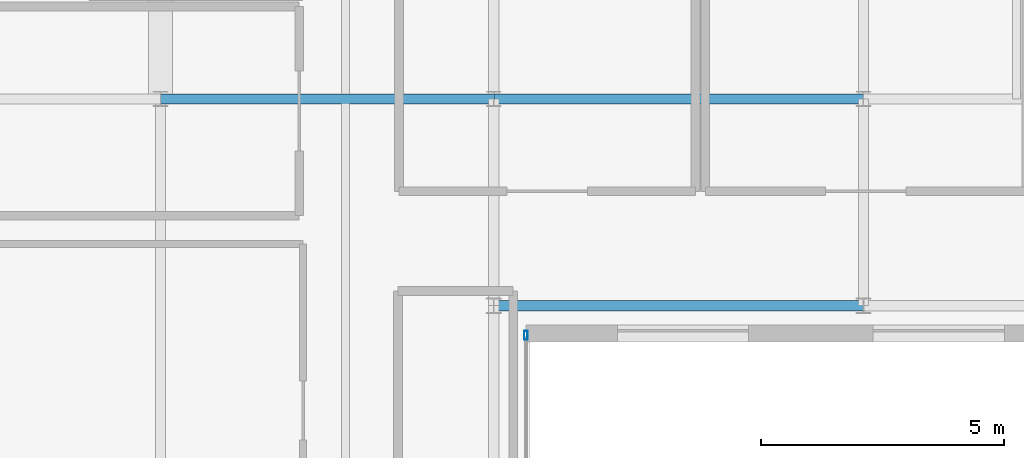
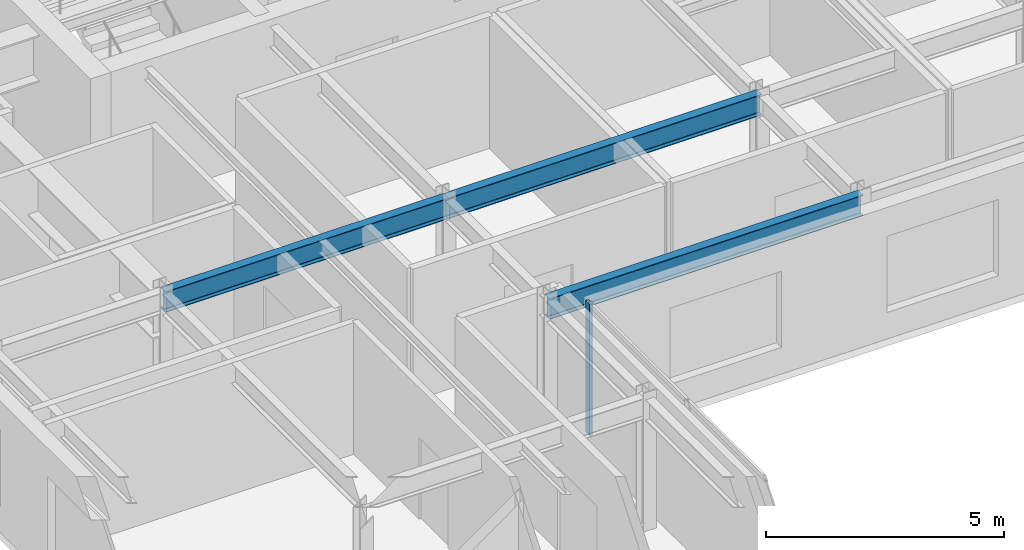
# One storey, part 9 of 18: 3 beams, 1 member, 1 element without a shape of its own.
"""IFC4 building model written with IfcOpenShell, lengths in metres."""

from ifc_helpers import new_model, si_unit, direction, frame, origin, origin_2d, place, context, subcontext, project, spatial, hollow_rectangle, i_section, extrude, source, transform, mapped, material, layer, layer_set, material_profile, profile_set, type_object, type_shapes, element, aggregate, save


model = new_model("IFC4")

# Units and contexts
model_context = context("Model", 3, precision=1e-05, world=origin(), true_north=direction((0.0, 1.0)))
body_context = subcontext(model_context, "Body", "Model", "MODEL_VIEW")
ifc_project = project(units=[si_unit("LENGTHUNIT", "METRE"), si_unit("AREAUNIT", "SQUARE_METRE"), si_unit("VOLUMEUNIT", "CUBIC_METRE"), si_unit("PLANEANGLEUNIT", "RADIAN"), si_unit("MASSUNIT", "GRAM", prefix="KILO")], contexts=[model_context])

# Site, building, storey
site_placement = place(None, origin())
site = spatial("IfcSite", under=ifc_project, at=site_placement, CompositionType="ELEMENT")
building_placement = place(site_placement, origin())
building = spatial("IfcBuilding", under=site, at=building_placement, Name="Tolvann Quenvar Hotel", CompositionType="ELEMENT")
storey_placement = place(building_placement, frame((0.0, 0.0, 259.39990234375)))
storey = spatial("IfcBuildingStorey", under=building, at=storey_placement, Name="L69", CompositionType="ELEMENT", Elevation=259.39990234375)

# Beams
ifc_material_1 = material(Name="Steel Grade 350", Category="steel")
ifc_material_profile_1 = material_profile(ifc_material_1, i_section(OverallWidth=0.208984375, OverallDepth=0.532958984375, WebThickness=0.01025390625, FlangeThickness=0.015625, FilletRadius=0.013916015625, at=origin_2d()), Name="530UB92")
ifc_profile_set_1 = profile_set([ifc_material_profile_1], Name="Steel Grade 350")
beam_type = type_object("IfcBeamType", Name="BM_GIRD_530UB92", PredefinedType="BEAM", material=ifc_profile_set_1)
shared_shape_1 = source(origin(), body_context, "Body", "SweptSolid", [
    extrude(i_section(OverallWidth=0.208984375, OverallDepth=0.532958984375, WebThickness=0.01025390625, FlangeThickness=0.015625, FilletRadius=0.013916015625, at=origin_2d()), origin(), (0.0, 0.0, 1.0), 6.849853515625),
])
beam_placement = place(storey_placement, frame((7.60009765625, 24.39990234375, 3.103515625), z_axis=(1.0, 0.0, 0.0), x_axis=(0.0, 1.0, 0.0)))
element("IfcBeam", 1, at=beam_placement, inside=storey, type_object=beam_type, Name="BM-L69-EW-5-C5-D5", PredefinedType="BEAM", context=body_context, shape_type="MappedRepresentation", body=[
    mapped(shared_shape_1, transform((0.0, 0.0, 0.0), x_axis=(1.0, 0.0, 0.0), y_axis=(0.0, 1.0, 0.0), z_axis=(0.0, 0.0, 1.0), scale=1.0)),
])
shared_shape_2 = source(origin(), body_context, "Body", "SweptSolid", [
    extrude(i_section(OverallWidth=0.208984375, OverallDepth=0.532958984375, WebThickness=0.01025390625, FlangeThickness=0.015625, FilletRadius=0.013916015625, at=origin_2d()), origin(), (0.0, 0.0, 1.0), 7.60009765625),
])
type_shapes(beam_type, [shared_shape_1, shared_shape_2])
for number, where, z_axis, x_axis, name in (
    (2, (14.449951171875, 20.14990234375, 3.103515625), (1.0, 0.0, 0.0), (0.0, 1.0, 0.0), "BM-L69-EW-4P-D4P-E4P"),
    (3, (14.449951171875, 24.39990234375, 3.103515625), (1.0, 0.0, 0.0), (0.0, 1.0, 0.0), "BM-L69-EW-5-D5-E5"),
):
    element("IfcBeam", number, at=place(storey_placement, frame(where, z_axis=z_axis, x_axis=x_axis)), inside=storey, type_object=beam_type, Name=name, PredefinedType="BEAM", context=body_context, shape_type="MappedRepresentation", body=[
        mapped(shared_shape_2, transform((0.0, 0.0, 0.0), x_axis=(1.0, 0.0, 0.0), y_axis=(0.0, 1.0, 0.0), z_axis=(0.0, 0.0, 1.0), scale=1.0)),
    ])

# Curtain wall, member
ifc_material_2 = material(Name="Thermally broken anodised architectural aluminium 6063-T6 and laminated low-E glass", Category="aluminium")
ifc_layer = layer(ifc_material_2, 0.179931640625)
ifc_layer_set = layer_set([ifc_layer], Name="Thermally broken anodised architectural aluminium 6063-T6 and laminated low-E glass")
curtain_wall_type = type_object("IfcCurtainWallType", Name="CW_SYS_PORTAL_05", PredefinedType="USERDEFINED", material=ifc_layer_set)
curtain_wall_placement = place(storey_placement, origin())
curtain_wall = element("IfcCurtainWall", 4, at=curtain_wall_placement, inside=storey, type_object=curtain_wall_type, Name="Curtain Wall CW-PORTAL-05 (CWR-L69-E05)", ObjectType="UNITISED CURTAIN WALL", PredefinedType="USERDEFINED")
ifc_material_3 = material(Name="Anodised architectural aluminium 6063-T6 framing", Category="aluminium")
ifc_material_profile_2 = material_profile(ifc_material_3, hollow_rectangle(XDim=0.070068359375, YDim=0.179931640625, WallThickness=0.00390625, at=origin_2d()), Name="180x70x4RHS")
ifc_profile_set_2 = profile_set([ifc_material_profile_2], Name="Anodised architectural aluminium 6063-T6 framing")
member_type = type_object("IfcMemberType", Name="CW_MULL_180x70", PredefinedType="MULLION", material=ifc_profile_set_2)
shared_shape_3 = source(origin(), body_context, "Body", "SweptSolid", [
    extrude(hollow_rectangle(XDim=0.070068359375, YDim=0.179931640625, WallThickness=0.00390625, at=origin_2d()), origin(), (0.0, 0.0, 1.0), 3.3701171875),
])
type_shapes(member_type, [shared_shape_3])
member_placement = place(storey_placement, frame((15.110107421875, 19.5400390625, 0.0), z_axis=(0.0, 0.0, 1.0), x_axis=(-1.0, 0.0, 0.0)))
member = element("IfcMember", 5, at=member_placement, type_object=member_type, Name="CW-PORTAL-05 mullion 5", PredefinedType="MULLION", context=body_context, shape_type="MappedRepresentation", body=[
    mapped(shared_shape_3, transform((0.0, 0.0, 0.0), x_axis=(1.0, 0.0, 0.0), y_axis=(0.0, 1.0, 0.0), z_axis=(0.0, 0.0, 1.0), scale=1.0)),
])
aggregate(curtain_wall, [member])

save(model, "model.ifc")
